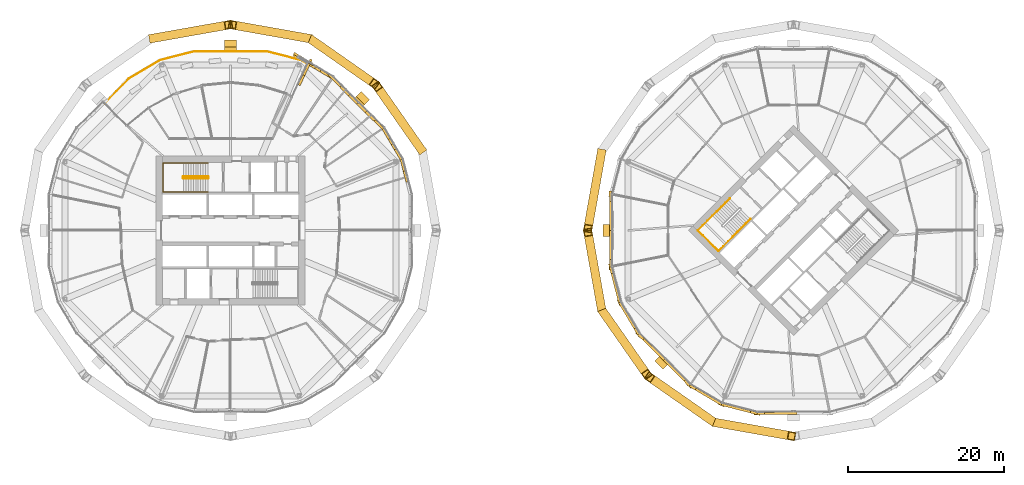
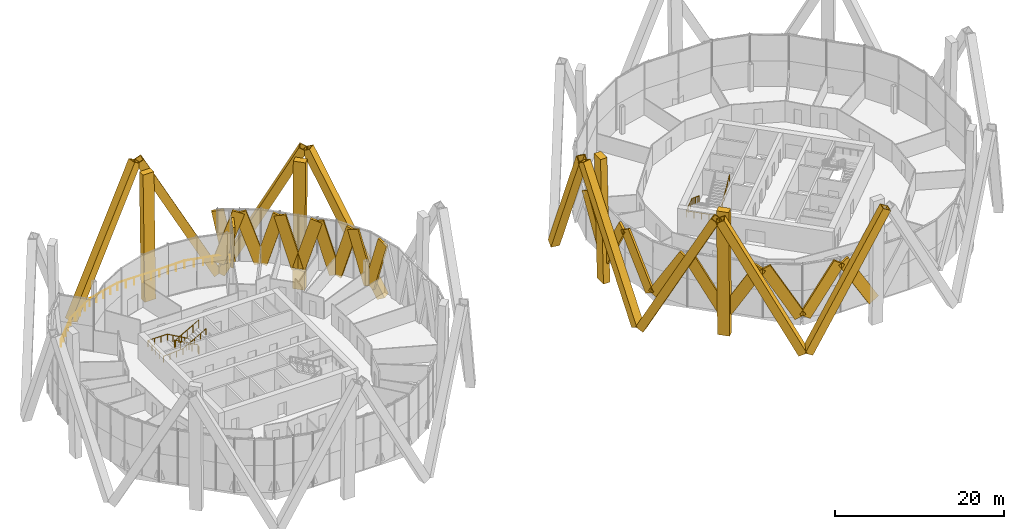
# One storey, part 29 of 31: 33 coverings, 4 railings.
"""IFC4 building model written with IfcOpenShell, lengths in metres."""

from ifc_helpers import new_model, si_unit, direction, frame, origin, origin_2d, place, context, subcontext, project, spatial, rectangle, hollow_rectangle, circle, extrude, material, material_profile, profile_set, type_object, element, save


model = new_model("IFC4")

# Units and contexts
model_context = context("Model", 3, precision=1e-05, world=origin(), true_north=direction((0.0, 1.0)))
body_context = subcontext(model_context, "Body", "Model", "MODEL_VIEW")
ifc_project = project(units=[si_unit("LENGTHUNIT", "METRE"), si_unit("AREAUNIT", "SQUARE_METRE"), si_unit("VOLUMEUNIT", "CUBIC_METRE"), si_unit("PLANEANGLEUNIT", "RADIAN"), si_unit("MASSUNIT", "GRAM", prefix="KILO")], contexts=[model_context])

# Site, building, storey
site_placement = place(None, origin())
site = spatial("IfcSite", under=ifc_project, at=site_placement, CompositionType="ELEMENT")
building_placement = place(site_placement, origin())
building = spatial("IfcBuilding", under=site, at=building_placement, Name="Ogive Gate Towers", CompositionType="ELEMENT")
storey_placement = place(building_placement, frame((0.0, 0.0, 55.800048828125)))
storey = spatial("IfcBuildingStorey", under=building, at=storey_placement, Name="L12", CompositionType="ELEMENT", Elevation=55.800048828125)

# Coverings
ifc_material_1 = material(Name="Pale metal aluminium", Category="aluminium")
ifc_material_profile_1 = material_profile(ifc_material_1, rectangle(XDim=1.5, YDim=0.89990234375, at=origin_2d()), Name="1500 x 900 pale metal aluminium")
ifc_profile_set_1 = profile_set([ifc_material_profile_1], Name="Pale metal aluminium")
covering_type_1 = type_object("IfcCoveringType", Name="Crease colonnette 1500 x 900", PredefinedType="CLADDING", material=ifc_profile_set_1)
for number, where, z_axis, x_axis, name in (
    (1, (-19.3759765625, 16.6240234375, -3.199951171875), (0.016020274109, 0.016020274109, 0.999743317875), (-0.707106781187, 0.707106781187, 0.0), "Crease colonnette"),
    (2, (-36.0, 23.510009765625, -3.199951171875), (0.0, 0.022641455512, 0.999743649388), (-1.0, 0.0, 0.0), "Crease colonnette"),
    (3, (12.489990234375, 0.0, -3.199951171875), (-0.022641455512, 0.0, 0.999743649388), (0.0, -1.0, 0.0), "Crease colonnette"),
    (4, (19.3759765625, -16.6240234375, -3.199951171875), (-0.016020274109, -0.016020274109, 0.999743317875), (0.707106781187, -0.707106781187, 0.0), "Crease colonnette"),
):
    element("IfcCovering", number, at=place(storey_placement, frame(where, z_axis=z_axis, x_axis=x_axis)), inside=storey, type_object=covering_type_1, Name=name, PredefinedType="CLADDING", context=body_context, shape_type="SweptSolid", body=[
        extrude(rectangle(XDim=1.5, YDim=0.89990234375, at=origin_2d()), origin(), (0.0, 0.0, 1.0), 18.1044921875),
    ])
ifc_material_2 = material(Name="Pale metal aluminium cladding", Category="aluminium")
ifc_material_profile_2 = material_profile(ifc_material_2, hollow_rectangle(XDim=1.10009765625, YDim=1.10009765625, WallThickness=0.10009765625, at=origin_2d()), Name="1100 x 1100 pale metal casing")
ifc_profile_set_2 = profile_set([ifc_material_profile_2], Name="Pale metal aluminium cladding")
covering_type_2 = type_object("IfcCoveringType", Name="Diagrid casing 1100 x 1100", PredefinedType="CLADDING", material=ifc_profile_set_2)
for number, where, z_axis, x_axis, name in (
    (5, (-11.618408203125, 10.37109375, -3.4140625), (-0.267924536079, 0.383368285063, 0.88388076174), (-0.819666880765, -0.572840470443, 0.0), "Diagrid casing"),
    (6, (-25.62890625, 24.381591796875, -3.4140625), (0.383368285063, -0.267924536079, 0.88388076174), (0.572840470443, 0.819666880765, 0.0), "Diagrid casing"),
    (7, (-26.093017578125, 24.573974609375, -3.4140625), (-0.460529727874, 0.081633060941, 0.8838825788), (-0.174538192904, -0.984650404569, 0.0), "Diagrid casing"),
    (8, (-45.906982421875, 24.573974609375, -3.4140625), (0.460529727874, 0.081633060941, 0.8838825788), (-0.174538192904, 0.984650404569, 0.0), "Diagrid casing"),
    (9, (11.426025390625, 9.906982421875, -3.4140625), (-0.081633060941, -0.460529727874, 0.8838825788), (0.984650404569, -0.174538192904, 0.0), "Diagrid casing"),
    (10, (11.426025390625, -9.906982421875, -3.4140625), (-0.081633060941, 0.460529727874, 0.8838825788), (-0.984650404569, -0.174538192904, 0.0), "Diagrid casing"),
    (11, (11.618408203125, -10.37109375, -3.4140625), (0.267924536079, -0.383368285063, 0.88388076174), (0.819666880765, 0.572840470443, 0.0), "Diagrid casing"),
    (12, (25.62890625, -24.381591796875, -3.4140625), (-0.383368285063, 0.267924536079, 0.88388076174), (-0.572840470443, -0.819666880765, 0.0), "Diagrid casing"),
    (13, (26.093017578125, -24.573974609375, -3.4140625), (0.460529727874, -0.081633060941, 0.8838825788), (0.174538192904, 0.984650404569, 0.0), "Diagrid casing"),
):
    element("IfcCovering", number, at=place(storey_placement, frame(where, z_axis=z_axis, x_axis=x_axis)), inside=storey, type_object=covering_type_2, Name=name, PredefinedType="CLADDING", context=body_context, shape_type="SweptSolid", body=[
        extrude(hollow_rectangle(XDim=1.10009765625, YDim=1.10009765625, WallThickness=0.10009765625, at=origin_2d()), origin(), (0.0, 0.0, 1.0), 20.9619140625),
    ])
ifc_material_profile_3 = material_profile(ifc_material_1, rectangle(XDim=0.300048828125, YDim=1.5, at=origin_2d()), Name="1500 x 300 pale metal aluminium")
ifc_profile_set_3 = profile_set([ifc_material_profile_3], Name="Pale metal aluminium")
covering_type_3 = type_object("IfcCoveringType", Name="Facade fin 1500 x 300", PredefinedType="CLADDING", material=ifc_profile_set_3)
for number, where, z_axis, x_axis, name in (
    (14, (-19.7255859375, 16.1826171875, -0.137451171875), (0.202389732074, -0.19826256891, 0.959025729645), (0.699785669769, 0.714352865457, 0.0), "Facade fin"),
    (15, (-16.52294921875, 13.04541015625, -0.137451171875), (-0.202389732074, 0.19826256891, 0.959025729645), (-0.699785669769, -0.714352865457, 0.0), "Facade fin"),
):
    element("IfcCovering", number, at=place(storey_placement, frame(where, z_axis=z_axis, x_axis=x_axis)), inside=storey, type_object=covering_type_3, Name=name, PredefinedType="CLADDING", context=body_context, shape_type="SweptSolid", body=[
        extrude(rectangle(XDim=0.300048828125, YDim=1.5, at=origin_2d()), origin(), (0.0, 0.0, 1.0), 7.690185546875),
    ])
covering_1_placement = place(storey_placement, frame((-16.479248046875, 12.9892578125, -0.135009765625), z_axis=(0.145918632203, -0.246900164972, 0.957991681234), x_axis=(0.860891279415, 0.508788959223, 0.0)))
element("IfcCovering", 16, at=covering_1_placement, inside=storey, type_object=covering_type_3, Name="Facade fin", PredefinedType="CLADDING", context=body_context, shape_type="SweptSolid", body=[
    extrude(rectangle(XDim=0.300048828125, YDim=1.5, at=origin_2d()), origin(), (0.0, 0.0, 1.0), 7.693115234375),
])
covering_2_placement = place(storey_placement, frame((-14.168701171875, 9.079833984375, -0.135009765625), z_axis=(-0.145919775479, 0.246870363952, 0.957999187122), x_axis=(-0.860862630636, -0.508837430989, 0.0)))
element("IfcCovering", 17, at=covering_2_placement, inside=storey, type_object=covering_type_3, Name="Facade fin", PredefinedType="CLADDING", context=body_context, shape_type="SweptSolid", body=[
    extrude(rectangle(XDim=0.300048828125, YDim=1.5, at=origin_2d()), origin(), (0.0, 0.0, 1.0), 7.69287109375),
])
covering_3_placement = place(storey_placement, frame((-14.142578125, 9.0166015625, -0.135009765625), z_axis=(0.071404648924, -0.277748216613, 0.957996505359), x_axis=(0.968506657857, 0.248987657699, 0.0)))
element("IfcCovering", 18, at=covering_3_placement, inside=storey, type_object=covering_type_3, Name="Facade fin", PredefinedType="CLADDING", context=body_context, shape_type="SweptSolid", body=[
    extrude(rectangle(XDim=0.300048828125, YDim=1.5, at=origin_2d()), origin(), (0.0, 0.0, 1.0), 7.693115234375),
])
for number, where, z_axis, x_axis, name in (
    (19, (-22.95458984375, 19.47705078125, -0.137451171875), (0.19826256891, -0.202389732074, 0.959025729645), (0.714352865457, 0.699785669769, 0.0), "Facade fin"),
    (20, (-19.8173828125, 16.2744140625, -0.137451171875), (-0.19826256891, 0.202389732074, 0.959025729645), (-0.714352865457, -0.699785669769, 0.0), "Facade fin"),
):
    element("IfcCovering", number, at=place(storey_placement, frame(where, z_axis=z_axis, x_axis=x_axis)), inside=storey, type_object=covering_type_3, Name=name, PredefinedType="CLADDING", context=body_context, shape_type="SweptSolid", body=[
        extrude(rectangle(XDim=0.300048828125, YDim=1.5, at=origin_2d()), origin(), (0.0, 0.0, 1.0), 7.690185546875),
    ])
covering_4_placement = place(storey_placement, frame((-25.9775390625, 21.232666015625, -0.1318359375), z_axis=(-0.122919820012, -0.26357181535, 0.95677615773), x_axis=(0.906289000143, -0.422658548027, 0.0)))
element("IfcCovering", 21, at=covering_4_placement, inside=storey, type_object=covering_type_3, Name="Facade fin", PredefinedType="CLADDING", context=body_context, shape_type="SweptSolid", body=[
    extrude(rectangle(XDim=0.300048828125, YDim=1.5, at=origin_2d()), origin(), (0.0, 0.0, 1.0), 7.696533203125),
])
covering_5_placement = place(storey_placement, frame((-26.054931640625, 21.575439453125, -0.212890625), z_axis=(-0.157429657222, 0.093035314043, 0.983138003216), x_axis=(-0.508764568361, -0.860905694011, 0.0)))
element("IfcCovering", 22, at=covering_5_placement, inside=storey, type_object=covering_type_3, Name="Facade fin", PredefinedType="CLADDING", context=body_context, shape_type="SweptSolid", body=[
    extrude(rectangle(XDim=0.300048828125, YDim=1.5, at=origin_2d()), origin(), (0.0, 0.0, 1.0), 7.65478515625),
])
for number, where, z_axis, x_axis, name in (
    (23, (-27.326904296875, 22.071533203125, -0.11474609375), (0.270131815998, -0.159656411095, 0.949493882225), (0.508807413699, 0.860880372505, 0.0), "Facade fin"),
    (24, (-23.022216796875, 19.527587890625, -0.11474609375), (-0.270161135371, 0.159655046986, 0.949485769723), (-0.5087632669, -0.860906463126, 0.0), "Facade fin"),
):
    element("IfcCovering", number, at=place(storey_placement, frame(where, z_axis=z_axis, x_axis=x_axis)), inside=storey, type_object=covering_type_3, Name=name, PredefinedType="CLADDING", context=body_context, shape_type="SweptSolid", body=[
        extrude(rectangle(XDim=0.300048828125, YDim=1.5, at=origin_2d()), origin(), (0.0, 0.0, 1.0), 7.71923828125),
    ])
for number, where, z_axis, x_axis, name in (
    (25, (12.627685546875, 0.223388671875, 0.031494140625), (-0.005227298742, 0.50866097305, 0.860951038006), (-0.999947200062, -0.010276044395, 0.0), "Facade fin"),
    (26, (12.627685546875, -0.223388671875, 0.031494140625), (-0.005227298742, -0.50866097305, 0.860951038006), (0.999947200062, -0.010276044395, 0.0), "Facade fin"),
):
    element("IfcCovering", number, at=place(storey_placement, frame(where, z_axis=z_axis, x_axis=x_axis)), inside=storey, type_object=covering_type_3, Name=name, PredefinedType="CLADDING", context=body_context, shape_type="SweptSolid", body=[
        extrude(rectangle(XDim=0.300048828125, YDim=1.5, at=origin_2d()), origin(), (0.0, 0.0, 1.0), 8.17333984375),
    ])
for number, where, z_axis, x_axis, name in (
    (27, (13.694580078125, -8.960205078125, 0.03515625), (-0.127924906593, 0.497485747863, 0.85798784895), (-0.968492932597, -0.249041039811, 0.0), "Facade fin"),
    (28, (13.891845703125, -9.4365234375, 0.03515625), (0.261358721817, -0.442232902804, 0.857975336596), (0.860893036422, 0.508785986285, 0.0), "Facade fin"),
):
    element("IfcCovering", number, at=place(storey_placement, frame(where, z_axis=z_axis, x_axis=x_axis)), inside=storey, type_object=covering_type_3, Name=name, PredefinedType="CLADDING", context=body_context, shape_type="SweptSolid", body=[
        extrude(rectangle(XDim=0.300048828125, YDim=1.5, at=origin_2d()), origin(), (0.0, 0.0, 1.0), 8.193115234375),
    ])
for number, where, z_axis, x_axis, name in (
    (29, (19.3154296875, -16.368896484375, 0.031494140625), (-0.363396488892, 0.355988768257, 0.860938434928), (-0.699788395832, -0.714350194973, 0.0), "Facade fin"),
    (30, (19.631103515625, -16.6845703125, 0.031494140625), (0.355988768257, -0.363396488892, 0.860938434928), (0.714350194973, 0.699788395832, 0.0), "Facade fin"),
):
    element("IfcCovering", number, at=place(storey_placement, frame(where, z_axis=z_axis, x_axis=x_axis)), inside=storey, type_object=covering_type_3, Name=name, PredefinedType="CLADDING", context=body_context, shape_type="SweptSolid", body=[
        extrude(rectangle(XDim=0.300048828125, YDim=1.5, at=origin_2d()), origin(), (0.0, 0.0, 1.0), 8.173583984375),
    ])
for number, where, z_axis, x_axis, name in (
    (31, (26.5634765625, -22.108154296875, 0.03515625), (-0.442232902804, 0.261358721817, 0.857975336596), (-0.508785986285, -0.860893036422, 0.0), "Facade fin"),
    (32, (27.039794921875, -22.305419921875, 0.03515625), (0.497485747863, -0.127924906593, 0.85798784895), (0.249041039811, 0.968492932597, 0.0), "Facade fin"),
):
    element("IfcCovering", number, at=place(storey_placement, frame(where, z_axis=z_axis, x_axis=x_axis)), inside=storey, type_object=covering_type_3, Name=name, PredefinedType="CLADDING", context=body_context, shape_type="SweptSolid", body=[
        extrude(rectangle(XDim=0.300048828125, YDim=1.5, at=origin_2d()), origin(), (0.0, 0.0, 1.0), 8.193115234375),
    ])
covering_6_placement = place(storey_placement, frame((35.776611328125, -23.372314453125, 0.031494140625), z_axis=(-0.50866097305, -0.005227298742, 0.860951038006), x_axis=(0.010276044395, -0.999947200062, 0.0)))
element("IfcCovering", 33, at=covering_6_placement, inside=storey, type_object=covering_type_3, Name="Facade fin", PredefinedType="CLADDING", context=body_context, shape_type="SweptSolid", body=[
    extrude(rectangle(XDim=0.300048828125, YDim=1.5, at=origin_2d()), origin(), (0.0, 0.0, 1.0), 8.17333984375),
])

# Railings
ifc_material_3 = material(Name="Stainless steel", Category="steel")
railing_type_1 = type_object("IfcRailingType", Name="Guard 1100", PredefinedType="GUARDRAIL", material=ifc_material_3)
railing_1_placement = place(storey_placement, frame((-52.166015625, 16.1630859375, 0.0)))
element("IfcRailing", 34, at=railing_1_placement, inside=storey, type_object=railing_type_1, Name="Sky garden guard", PredefinedType="GUARDRAIL", context=body_context, shape_type="SweptSolid", body=[
    extrude(circle(Radius=0.02392578125, at=origin_2d()), frame((0.0, 0.0, 1.076171875), z_axis=(0.699810961081, 0.714328089011, 0.0), x_axis=(-0.714328089011, 0.699810961081, 0.0)), (0.0, 0.0, 1.0), 4.57421875),
    extrude(circle(Radius=0.02392578125, at=origin_2d()), frame((3.201171875, 3.267578125, 1.076171875), z_axis=(0.860906397636, 0.508763377721, 0.0), x_axis=(-0.508763377721, 0.860906397636, 0.0)), (0.0, 0.0, 1.0), 4.587646484375),
    extrude(circle(Radius=0.02392578125, at=origin_2d()), frame((7.150634765625, 5.6015625, 1.076171875), z_axis=(0.968505766379, 0.248991125324, 0.0), x_axis=(-0.248991125324, 0.968505766379, 0.0)), (0.0, 0.0, 1.0), 4.587890625),
    extrude(circle(Radius=0.02392578125, at=origin_2d()), frame((11.593994140625, 6.743896484375, 1.076171875), z_axis=(0.999947496954, -0.010247113547, 0.0), x_axis=(0.010247113547, 0.999947496954, 0.0)), (0.0, 0.0, 1.0), 4.574462890625),
    extrude(circle(Radius=0.02392578125, at=origin_2d()), frame((16.168212890625, 6.697021484375, 1.076171875), z_axis=(0.999947395935, 0.010256966557, 0.0), x_axis=(-0.010256966557, 0.999947395935, 0.0)), (0.0, 0.0, 1.0), 4.570068359375),
    extrude(circle(Radius=0.02392578125, at=origin_2d()), frame((20.738037109375, 6.743896484375, 1.076171875), z_axis=(0.968505766379, -0.248991125324, 0.0), x_axis=(0.248991125324, 0.968505766379, 0.0)), (0.0, 0.0, 1.0), 4.587890625),
    extrude(circle(Radius=0.02392578125, at=origin_2d()), frame((25.181396484375, 5.6015625, 1.076171875), z_axis=(0.860940926956, -0.508704944239, 0.0), x_axis=(0.508704944239, 0.860940926956, 0.0)), (0.0, 0.0, 1.0), 1.0126953125),
    extrude(circle(Radius=0.02099609375, at=origin_2d()), origin(), (0.0, 0.0, 1.0), 1.052001953125),
    extrude(circle(Radius=0.02099609375, at=origin_2d()), frame((0.80029296875, 0.81689453125, 0.0)), (0.0, 0.0, 1.0), 1.052001953125),
    extrude(circle(Radius=0.02099609375, at=origin_2d()), frame((1.6005859375, 1.6337890625, 0.0)), (0.0, 0.0, 1.0), 1.052001953125),
    extrude(circle(Radius=0.02099609375, at=origin_2d()), frame((2.40087890625, 2.45068359375, 0.0)), (0.0, 0.0, 1.0), 1.052001953125),
    extrude(circle(Radius=0.02099609375, at=origin_2d()), frame((3.201171875, 3.267578125, 0.0)), (0.0, 0.0, 1.0), 1.052001953125),
    extrude(circle(Radius=0.02099609375, at=origin_2d()), frame((4.1884765625, 3.85107421875, 0.0)), (0.0, 0.0, 1.0), 1.052001953125),
    extrude(circle(Radius=0.02099609375, at=origin_2d()), frame((5.17578125, 4.4345703125, 0.0)), (0.0, 0.0, 1.0), 1.052001953125),
    extrude(circle(Radius=0.02099609375, at=origin_2d()), frame((6.163330078125, 5.01806640625, 0.0)), (0.0, 0.0, 1.0), 1.052001953125),
    extrude(circle(Radius=0.02099609375, at=origin_2d()), frame((7.150634765625, 5.6015625, 0.0)), (0.0, 0.0, 1.0), 1.052001953125),
    extrude(circle(Radius=0.02099609375, at=origin_2d()), frame((8.261474609375, 5.88720703125, 0.0)), (0.0, 0.0, 1.0), 1.052001953125),
    extrude(circle(Radius=0.02099609375, at=origin_2d()), frame((9.372314453125, 6.1728515625, 0.0)), (0.0, 0.0, 1.0), 1.052001953125),
    extrude(circle(Radius=0.02099609375, at=origin_2d()), frame((10.483154296875, 6.458251953125, 0.0)), (0.0, 0.0, 1.0), 1.052001953125),
    extrude(circle(Radius=0.02099609375, at=origin_2d()), frame((11.593994140625, 6.743896484375, 0.0)), (0.0, 0.0, 1.0), 1.052001953125),
    extrude(circle(Radius=0.02099609375, at=origin_2d()), frame((12.737548828125, 6.732177734375, 0.0)), (0.0, 0.0, 1.0), 1.052001953125),
    extrude(circle(Radius=0.02099609375, at=origin_2d()), frame((13.881103515625, 6.720458984375, 0.0)), (0.0, 0.0, 1.0), 1.052001953125),
    extrude(circle(Radius=0.02099609375, at=origin_2d()), frame((15.024658203125, 6.708740234375, 0.0)), (0.0, 0.0, 1.0), 1.052001953125),
    extrude(circle(Radius=0.02099609375, at=origin_2d()), frame((16.168212890625, 6.697021484375, 0.0)), (0.0, 0.0, 1.0), 1.052001953125),
    extrude(circle(Radius=0.02099609375, at=origin_2d()), frame((17.310546875, 6.708740234375, 0.0)), (0.0, 0.0, 1.0), 1.052001953125),
    extrude(circle(Radius=0.02099609375, at=origin_2d()), frame((18.453125, 6.720458984375, 0.0)), (0.0, 0.0, 1.0), 1.052001953125),
    extrude(circle(Radius=0.02099609375, at=origin_2d()), frame((19.595703125, 6.732177734375, 0.0)), (0.0, 0.0, 1.0), 1.052001953125),
    extrude(circle(Radius=0.02099609375, at=origin_2d()), frame((20.738037109375, 6.743896484375, 0.0)), (0.0, 0.0, 1.0), 1.052001953125),
    extrude(circle(Radius=0.02099609375, at=origin_2d()), frame((21.848876953125, 6.458251953125, 0.0)), (0.0, 0.0, 1.0), 1.052001953125),
    extrude(circle(Radius=0.02099609375, at=origin_2d()), frame((22.959716796875, 6.1728515625, 0.0)), (0.0, 0.0, 1.0), 1.052001953125),
    extrude(circle(Radius=0.02099609375, at=origin_2d()), frame((24.070556640625, 5.88720703125, 0.0)), (0.0, 0.0, 1.0), 1.052001953125),
    extrude(circle(Radius=0.02099609375, at=origin_2d()), frame((25.181396484375, 5.6015625, 0.0)), (0.0, 0.0, 1.0), 1.052001953125),
    extrude(circle(Radius=0.02099609375, at=origin_2d()), frame((26.05322265625, 5.08642578125, 0.0)), (0.0, 0.0, 1.0), 1.052001953125),
])
railing_type_2 = type_object("IfcRailingType", Name="Stair guard 1100", PredefinedType="GUARDRAIL", material=ifc_material_3)
railing_2_placement = place(storey_placement, frame((-38.81494140625, 6.860107421875, 0.0)))
element("IfcRailing", 35, at=railing_2_placement, inside=storey, type_object=railing_type_2, Name="L12 ST1 stair guard 1", PredefinedType="GUARDRAIL", context=body_context, shape_type="SweptSolid", body=[
    extrude(circle(Radius=0.02392578125, at=origin_2d()), frame((0.0, 0.0, 1.076171875), z_axis=(0.0, -1.0, 0.0), x_axis=(1.0, 0.0, 0.0)), (0.0, 0.0, 1.0), 0.14501953125),
    extrude(circle(Radius=0.02392578125, at=origin_2d()), frame((0.0, -0.14501953125, 1.076171875), z_axis=(-0.186679794065, 0.726685247142, 0.661119660934), x_axis=(-0.968551454522, -0.24881334358, 0.0)), (0.0, 0.0, 1.0), 0.26806640625),
    extrude(circle(Radius=0.02392578125, at=origin_2d()), frame((-0.050048828125, 0.0498046875, 1.25341796875), z_axis=(-0.870572935281, 0.0, 0.492039393094), x_axis=(0.0, -1.0, 0.0)), (0.0, 0.0, 1.0), 3.602783203125),
    extrude(circle(Radius=0.02392578125, at=origin_2d()), frame((-3.1865234375, 0.0498046875, 3.02587890625), z_axis=(-0.707106781187, -0.707106781187, 0.0), x_axis=(0.707106781187, -0.707106781187, 0.0)), (0.0, 0.0, 1.0), 0.0703125),
    extrude(circle(Radius=0.02392578125, at=origin_2d()), frame((-3.236328125, 0.0, 3.02587890625), z_axis=(0.0, -1.0, 0.0), x_axis=(1.0, 0.0, 0.0)), (0.0, 0.0, 1.0), 0.14501953125),
    extrude(circle(Radius=0.02392578125, at=origin_2d()), frame((-3.236328125, -0.14501953125, 3.02587890625), z_axis=(0.261041864531, -0.262321481514, 0.929001929653), x_axis=(0.708833529934, 0.705375805398, 0.0)), (0.0, 0.0, 1.0), 0.190673828125),
    extrude(circle(Radius=0.02392578125, at=origin_2d()), frame((-3.1865234375, -0.195068359375, 3.203125), z_axis=(0.870572935281, 0.0, 0.492039393094), x_axis=(0.0, 1.0, 0.0)), (0.0, 0.0, 1.0), 3.602783203125),
    extrude(circle(Radius=0.02099609375, at=origin_2d()), origin(), (0.0, 0.0, 1.0), 1.052001953125),
    extrude(circle(Radius=0.02099609375, at=origin_2d()), frame((0.0, -0.14501953125, 0.0)), (0.0, 0.0, 1.0), 1.052001953125),
    extrude(circle(Radius=0.02099609375, at=origin_2d()), frame((-0.050048828125, 0.0498046875, 0.17724609375)), (0.0, 0.0, 1.0), 1.052001953125),
    extrude(circle(Radius=0.02099609375, at=origin_2d()), frame((-0.834228515625, 0.0498046875, 0.620361328125)), (0.0, 0.0, 1.0), 1.052001953125),
    extrude(circle(Radius=0.02099609375, at=origin_2d()), frame((-1.6181640625, 0.0498046875, 1.0634765625)), (0.0, 0.0, 1.0), 1.052001953125),
    extrude(circle(Radius=0.02099609375, at=origin_2d()), frame((-2.40234375, 0.0498046875, 1.5068359375)), (0.0, 0.0, 1.0), 1.052001953125),
    extrude(circle(Radius=0.02099609375, at=origin_2d()), frame((-3.1865234375, 0.0498046875, 1.949951171875)), (0.0, 0.0, 1.0), 1.052001953125),
    extrude(circle(Radius=0.02099609375, at=origin_2d()), frame((-3.236328125, 0.0, 1.949951171875)), (0.0, 0.0, 1.0), 1.052001953125),
    extrude(circle(Radius=0.02099609375, at=origin_2d()), frame((-3.236328125, -0.14501953125, 1.949951171875)), (0.0, 0.0, 1.0), 1.052001953125),
    extrude(circle(Radius=0.02099609375, at=origin_2d()), frame((-3.1865234375, -0.195068359375, 2.127197265625)), (0.0, 0.0, 1.0), 1.052001953125),
    extrude(circle(Radius=0.02099609375, at=origin_2d()), frame((-2.40234375, -0.195068359375, 2.5703125)), (0.0, 0.0, 1.0), 1.052001953125),
    extrude(circle(Radius=0.02099609375, at=origin_2d()), frame((-1.6181640625, -0.195068359375, 3.013671875)), (0.0, 0.0, 1.0), 1.052001953125),
    extrude(circle(Radius=0.02099609375, at=origin_2d()), frame((-0.834228515625, -0.195068359375, 3.456787109375)), (0.0, 0.0, 1.0), 1.052001953125),
    extrude(circle(Radius=0.02099609375, at=origin_2d()), frame((-0.050048828125, -0.195068359375, 3.89990234375)), (0.0, 0.0, 1.0), 1.052001953125),
])
railing_type_3 = type_object("IfcRailingType", Name="Stair handrail 900", PredefinedType="HANDRAIL", material=ifc_material_3)
railing_3_placement = place(storey_placement, frame((-38.864990234375, 8.64990234375, 0.17724609375)))
element("IfcRailing", 36, at=railing_3_placement, inside=storey, type_object=railing_type_3, Name="L12 ST1 stair handrail 1", PredefinedType="HANDRAIL", context=body_context, shape_type="SweptSolid", body=[
    extrude(circle(Radius=0.02392578125, at=origin_2d()), frame((0.0, 0.0, 0.8759765625), z_axis=(-0.870572935281, 0.0, 0.492039393094), x_axis=(0.0, -1.0, 0.0)), (0.0, 0.0, 1.0), 3.602783203125),
    extrude(circle(Radius=0.02392578125, at=origin_2d()), frame((-3.136474609375, 0.0, 2.6484375), z_axis=(-1.0, 0.0, 0.0), x_axis=(0.0, -1.0, 0.0)), (0.0, 0.0, 1.0), 2.6484375),
    extrude(circle(Radius=0.02392578125, at=origin_2d()), frame((-5.784912109375, 0.0, 2.6484375), z_axis=(0.0, -1.0, 0.0), x_axis=(1.0, 0.0, 0.0)), (0.0, 0.0, 1.0), 3.724853515625),
    extrude(circle(Radius=0.02392578125, at=origin_2d()), frame((-5.784912109375, -3.724853515625, 2.6484375), z_axis=(0.997768031817, 0.0, 0.066775404784), x_axis=(0.0, 1.0, 0.0)), (0.0, 0.0, 1.0), 2.654296875),
    extrude(circle(Radius=0.02392578125, at=origin_2d()), frame((-3.136474609375, -3.724853515625, 2.82568359375), z_axis=(0.870572935281, 0.0, 0.492039393094), x_axis=(0.0, 1.0, 0.0)), (0.0, 0.0, 1.0), 3.602783203125),
    extrude(circle(Radius=0.02099609375, at=origin_2d()), origin(), (0.0, 0.0, 1.0), 0.851806640625),
    extrude(circle(Radius=0.02099609375, at=origin_2d()), frame((-0.7841796875, 0.0, 0.443115234375)), (0.0, 0.0, 1.0), 0.851806640625),
    extrude(circle(Radius=0.02099609375, at=origin_2d()), frame((-1.568359375, 0.0, 0.88623046875)), (0.0, 0.0, 1.0), 0.851806640625),
    extrude(circle(Radius=0.02099609375, at=origin_2d()), frame((-2.352294921875, 0.0, 1.32958984375)), (0.0, 0.0, 1.0), 0.851806640625),
    extrude(circle(Radius=0.02099609375, at=origin_2d()), frame((-3.136474609375, 0.0, 1.772705078125)), (0.0, 0.0, 1.0), 0.851806640625),
    extrude(circle(Radius=0.02099609375, at=origin_2d()), frame((-4.019287109375, 0.0, 1.772705078125)), (0.0, 0.0, 1.0), 0.851806640625),
    extrude(circle(Radius=0.02099609375, at=origin_2d()), frame((-4.902099609375, 0.0, 1.772705078125)), (0.0, 0.0, 1.0), 0.851806640625),
    extrude(circle(Radius=0.02099609375, at=origin_2d()), frame((-5.784912109375, 0.0, 1.772705078125)), (0.0, 0.0, 1.0), 0.851806640625),
    extrude(circle(Radius=0.02099609375, at=origin_2d()), frame((-5.784912109375, -0.93115234375, 1.772705078125)), (0.0, 0.0, 1.0), 0.851806640625),
    extrude(circle(Radius=0.02099609375, at=origin_2d()), frame((-5.784912109375, -1.8623046875, 1.772705078125)), (0.0, 0.0, 1.0), 0.851806640625),
    extrude(circle(Radius=0.02099609375, at=origin_2d()), frame((-5.784912109375, -2.793701171875, 1.772705078125)), (0.0, 0.0, 1.0), 0.851806640625),
    extrude(circle(Radius=0.02099609375, at=origin_2d()), frame((-5.784912109375, -3.724853515625, 1.772705078125)), (0.0, 0.0, 1.0), 0.851806640625),
    extrude(circle(Radius=0.02099609375, at=origin_2d()), frame((-4.902099609375, -3.724853515625, 1.831787109375)), (0.0, 0.0, 1.0), 0.851806640625),
    extrude(circle(Radius=0.02099609375, at=origin_2d()), frame((-4.019287109375, -3.724853515625, 1.890869140625)), (0.0, 0.0, 1.0), 0.851806640625),
    extrude(circle(Radius=0.02099609375, at=origin_2d()), frame((-3.136474609375, -3.724853515625, 1.949951171875)), (0.0, 0.0, 1.0), 0.851806640625),
    extrude(circle(Radius=0.02099609375, at=origin_2d()), frame((-2.352294921875, -3.724853515625, 2.39306640625)), (0.0, 0.0, 1.0), 0.851806640625),
    extrude(circle(Radius=0.02099609375, at=origin_2d()), frame((-1.568359375, -3.724853515625, 2.83642578125)), (0.0, 0.0, 1.0), 0.851806640625),
    extrude(circle(Radius=0.02099609375, at=origin_2d()), frame((-0.7841796875, -3.724853515625, 3.279541015625)), (0.0, 0.0, 1.0), 0.851806640625),
    extrude(circle(Radius=0.02099609375, at=origin_2d()), frame((0.0, -3.724853515625, 3.72265625)), (0.0, 0.0, 1.0), 0.851806640625),
])
railing_4_placement = place(storey_placement, frame((27.857666015625, 4.090576171875, 0.17724609375)))
element("IfcRailing", 37, at=railing_4_placement, inside=storey, type_object=railing_type_3, Name="L12 ST1 stair handrail 1", PredefinedType="HANDRAIL", context=body_context, shape_type="SweptSolid", body=[
    extrude(circle(Radius=0.02392578125, at=origin_2d()), frame((0.0, 0.0, 0.8759765625), z_axis=(-0.61558473135, -0.61558473135, 0.49204763698), x_axis=(0.707106781187, -0.707106781187, 0.0)), (0.0, 0.0, 1.0), 3.602783203125),
    extrude(circle(Radius=0.02392578125, at=origin_2d()), frame((-2.2177734375, -2.2177734375, 2.6484375), z_axis=(-0.707106781187, -0.707106781187, 0.0), x_axis=(0.707106781187, -0.707106781187, 0.0)), (0.0, 0.0, 1.0), 2.6484375),
    extrude(circle(Radius=0.02392578125, at=origin_2d()), frame((-4.090576171875, -4.090576171875, 2.6484375), z_axis=(0.707106781187, -0.707106781187, 0.0), x_axis=(0.707106781187, 0.707106781187, 0.0)), (0.0, 0.0, 1.0), 3.72509765625),
    extrude(circle(Radius=0.02392578125, at=origin_2d()), frame((-1.45654296875, -6.724609375, 2.6484375), z_axis=(0.705482886452, 0.705574853978, 0.066768423356), x_axis=(-0.70715286629, 0.70706069308, 0.0)), (0.0, 0.0, 1.0), 2.654541015625),
    extrude(circle(Radius=0.02392578125, at=origin_2d()), frame((0.416259765625, -4.8515625, 2.82568359375), z_axis=(0.615610411033, 0.615542642384, 0.4920681632), x_axis=(-0.70706785752, 0.70714570271, 0.0)), (0.0, 0.0, 1.0), 3.6025390625),
    extrude(circle(Radius=0.02099609375, at=origin_2d()), origin(), (0.0, 0.0, 1.0), 0.851806640625),
    extrude(circle(Radius=0.02099609375, at=origin_2d()), frame((-0.554443359375, -0.554443359375, 0.443115234375)), (0.0, 0.0, 1.0), 0.851806640625),
    extrude(circle(Radius=0.02099609375, at=origin_2d()), frame((-1.10888671875, -1.10888671875, 0.88623046875)), (0.0, 0.0, 1.0), 0.851806640625),
    extrude(circle(Radius=0.02099609375, at=origin_2d()), frame((-1.663330078125, -1.663330078125, 1.32958984375)), (0.0, 0.0, 1.0), 0.851806640625),
    extrude(circle(Radius=0.02099609375, at=origin_2d()), frame((-2.2177734375, -2.2177734375, 1.772705078125)), (0.0, 0.0, 1.0), 0.851806640625),
    extrude(circle(Radius=0.02099609375, at=origin_2d()), frame((-2.842041015625, -2.842041015625, 1.772705078125)), (0.0, 0.0, 1.0), 0.851806640625),
    extrude(circle(Radius=0.02099609375, at=origin_2d()), frame((-3.46630859375, -3.46630859375, 1.772705078125)), (0.0, 0.0, 1.0), 0.851806640625),
    extrude(circle(Radius=0.02099609375, at=origin_2d()), frame((-4.090576171875, -4.090576171875, 1.772705078125)), (0.0, 0.0, 1.0), 0.851806640625),
    extrude(circle(Radius=0.02099609375, at=origin_2d()), frame((-3.43212890625, -4.7490234375, 1.772705078125)), (0.0, 0.0, 1.0), 0.851806640625),
    extrude(circle(Radius=0.02099609375, at=origin_2d()), frame((-2.7734375, -5.40771484375, 1.772705078125)), (0.0, 0.0, 1.0), 0.851806640625),
    extrude(circle(Radius=0.02099609375, at=origin_2d()), frame((-2.114990234375, -6.066162109375, 1.772705078125)), (0.0, 0.0, 1.0), 0.851806640625),
    extrude(circle(Radius=0.02099609375, at=origin_2d()), frame((-1.45654296875, -6.724609375, 1.772705078125)), (0.0, 0.0, 1.0), 0.851806640625),
    extrude(circle(Radius=0.02099609375, at=origin_2d()), frame((-0.832275390625, -6.100341796875, 1.831787109375)), (0.0, 0.0, 1.0), 0.851806640625),
    extrude(circle(Radius=0.02099609375, at=origin_2d()), frame((-0.2080078125, -5.475830078125, 1.890869140625)), (0.0, 0.0, 1.0), 0.851806640625),
    extrude(circle(Radius=0.02099609375, at=origin_2d()), frame((0.416259765625, -4.8515625, 1.949951171875)), (0.0, 0.0, 1.0), 0.851806640625),
    extrude(circle(Radius=0.02099609375, at=origin_2d()), frame((0.970703125, -4.297119140625, 2.39306640625)), (0.0, 0.0, 1.0), 0.851806640625),
    extrude(circle(Radius=0.02099609375, at=origin_2d()), frame((1.525146484375, -3.74267578125, 2.83642578125)), (0.0, 0.0, 1.0), 0.851806640625),
    extrude(circle(Radius=0.02099609375, at=origin_2d()), frame((2.07958984375, -3.1884765625, 3.279541015625)), (0.0, 0.0, 1.0), 0.851806640625),
    extrude(circle(Radius=0.02099609375, at=origin_2d()), frame((2.634033203125, -2.634033203125, 3.72265625)), (0.0, 0.0, 1.0), 0.851806640625),
])

save(model, "model.ifc")
